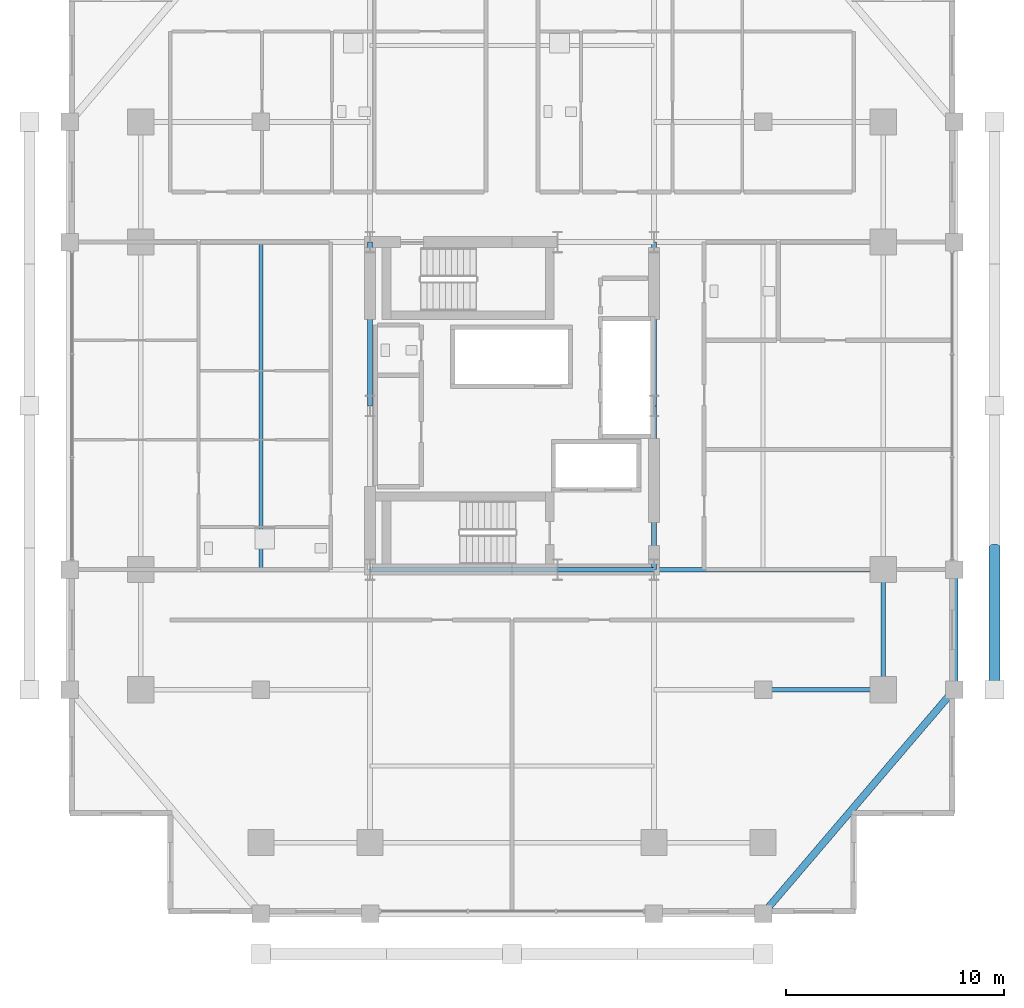
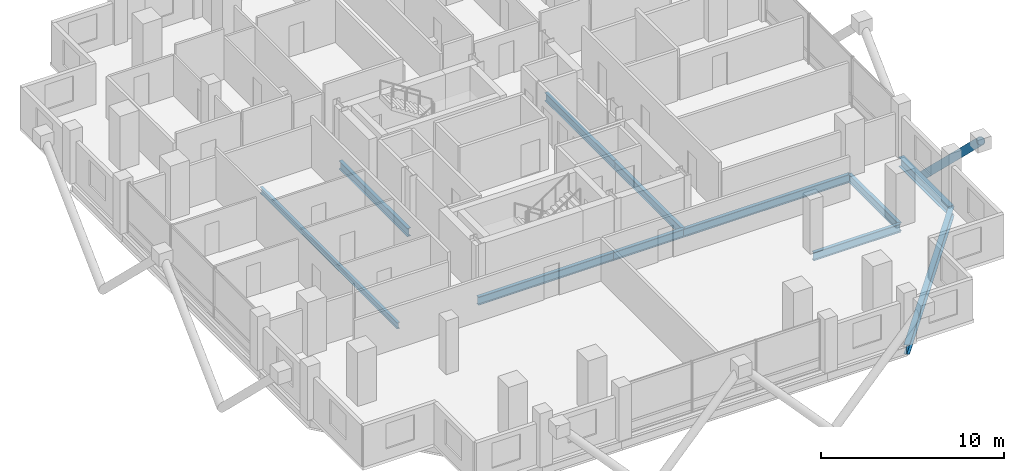
# One storey, part 7 of 22: 11 beams, 1 member.
"""IFC4 building model written with IfcOpenShell, lengths in metres."""

from ifc_helpers import new_model, si_unit, direction, frame, origin, origin_2d, place, context, subcontext, project, spatial, hollow_circle, i_section, extrude, material, material_profile, profile_set, type_object, element, save


model = new_model("IFC4")

# Units and contexts
model_context = context("Model", 3, precision=1e-05, world=origin(), true_north=direction((0.0, 1.0)))
body_context = subcontext(model_context, "Body", "Model", "MODEL_VIEW")
ifc_project = project(units=[si_unit("LENGTHUNIT", "METRE"), si_unit("AREAUNIT", "SQUARE_METRE"), si_unit("VOLUMEUNIT", "CUBIC_METRE"), si_unit("PLANEANGLEUNIT", "RADIAN"), si_unit("MASSUNIT", "GRAM", prefix="KILO")], contexts=[model_context])

# Site, building, storey
site_placement = place(None, origin())
site = spatial("IfcSite", under=ifc_project, at=site_placement, CompositionType="ELEMENT")
building_placement = place(site_placement, origin())
building = spatial("IfcBuilding", under=site, at=building_placement, Name="Barlavira Tower and Art Museum", CompositionType="ELEMENT")
storey_placement = place(building_placement, frame((0.0, 0.0, 129.60009765625)))
storey = spatial("IfcBuildingStorey", under=building, at=storey_placement, Name="L32", CompositionType="ELEMENT", Elevation=129.60009765625)

# Member
ifc_material = material(Name="Steel S355", Category="steel")
ifc_material_profile_1 = material_profile(ifc_material, hollow_circle(Radius=0.25390625, WallThickness=0.022216796875, at=origin_2d()), Name="CHS 508.0x22.2")
ifc_profile_set_1 = profile_set([ifc_material_profile_1], Name="Steel S355")
member_type = type_object("IfcMemberType", Name="Pale-Metal Exoskeleton Diagrid Tube CHS 508x22 Steel S355", PredefinedType="BRACE", material=ifc_profile_set_1)
member_placement = place(storey_placement, frame((22.10009765625, -6.5, -2.820068359375), z_axis=(0.0, -0.718064979499, 0.695976066555), x_axis=(1.0, 0.0, 0.0)))
element("IfcMember", 1, at=member_placement, inside=storey, type_object=member_type, Name="L32 Exoskeleton Diagrid Tube E", PredefinedType="BRACE", context=body_context, shape_type="SweptSolid", body=[
    extrude(hollow_circle(Radius=0.25390625, WallThickness=0.022216796875, at=origin_2d()), origin(), (0.0, 0.0, 1.0), 9.052001953125),
])

# Beams
ifc_material_profile_2 = material_profile(ifc_material, i_section(OverallWidth=0.327880859375, OverallDepth=0.62890625, WebThickness=0.013916015625, FlangeThickness=0.021484375, at=origin_2d()), Name="W610x174.0")
ifc_profile_set_2 = profile_set([ifc_material_profile_2], Name="Steel S355")
beam_type_1 = type_object("IfcBeamType", Name="Perimeter Spandrel Edge Beam W610x174 Steel S355", PredefinedType="SPANDREL", material=ifc_profile_set_2)
beam_1_placement = place(storey_placement, frame((11.5, -23.25, -0.53466796875), z_axis=(0.649262379928, 0.760564502202, 0.0), x_axis=(-0.760564502202, 0.649262379928, 0.0)))
element("IfcBeam", 2, at=beam_1_placement, inside=storey, type_object=beam_type_1, Name="L32 Spandrel 4", PredefinedType="SPANDREL", context=body_context, shape_type="SweptSolid", body=[
    extrude(i_section(OverallWidth=0.327880859375, OverallDepth=0.62890625, WebThickness=0.013916015625, FlangeThickness=0.021484375, at=origin_2d()), origin(), (0.0, 0.0, 1.0), 13.476806640625),
])
beam_2_placement = place(storey_placement, frame((20.25, -13.0, -0.53466796875), z_axis=(0.0, 1.0, 0.0), x_axis=(-1.0, 0.0, 0.0)))
element("IfcBeam", 3, at=beam_2_placement, inside=storey, type_object=beam_type_1, Name="L32 Spandrel 5", PredefinedType="SPANDREL", context=body_context, shape_type="SweptSolid", body=[
    extrude(i_section(OverallWidth=0.327880859375, OverallDepth=0.62890625, WebThickness=0.013916015625, FlangeThickness=0.021484375, at=origin_2d()), origin(), (0.0, 0.0, 1.0), 5.5),
])
ifc_material_profile_3 = material_profile(ifc_material, i_section(OverallWidth=0.214111328125, OverallDepth=0.549072265625, WebThickness=0.0146484375, FlangeThickness=0.023681640625, at=origin_2d()), Name="W530x138.0")
ifc_profile_set_3 = profile_set([ifc_material_profile_3], Name="Steel S355")
beam_type_2 = type_object("IfcBeamType", Name="Zone 1 Primary Floor Girder W530x138 Steel S355", PredefinedType="BEAM", material=ifc_profile_set_3)
beam_3_placement = place(storey_placement, frame((-6.5, -7.5, -0.49462890625), z_axis=(1.0, 0.0, 0.0), x_axis=(0.0, 1.0, 0.0)))
element("IfcBeam", 4, at=beam_3_placement, inside=storey, type_object=beam_type_2, Name="L32 Girder C-S1", PredefinedType="BEAM", context=body_context, shape_type="SweptSolid", body=[
    extrude(i_section(OverallWidth=0.214111328125, OverallDepth=0.549072265625, WebThickness=0.0146484375, FlangeThickness=0.023681640625, at=origin_2d()), origin(), (0.0, 0.0, 1.0), 8.580078125),
])
beam_4_placement = place(storey_placement, frame((2.080078125, -7.5, -0.49462890625), z_axis=(1.0, 0.0, 0.0), x_axis=(0.0, 1.0, 0.0)))
element("IfcBeam", 5, at=beam_4_placement, inside=storey, type_object=beam_type_2, Name="L32 Girder C-S2", PredefinedType="BEAM", context=body_context, shape_type="SweptSolid", body=[
    extrude(i_section(OverallWidth=0.214111328125, OverallDepth=0.549072265625, WebThickness=0.0146484375, FlangeThickness=0.023681640625, at=origin_2d()), origin(), (0.0, 0.0, 1.0), 4.419921875),
])
for number, where, z_axis, x_axis, name in (
    (6, (-6.5, 0.0, -0.49462890625), (0.0, 1.0, 0.0), (-1.0, 0.0, 0.0), "L32 Girder C-W2"),
    (7, (6.5, -7.5, -0.49462890625), (0.0, 1.0, 0.0), (-1.0, 0.0, 0.0), "L32 Girder C-E1"),
    (8, (6.5, 0.0, -0.49462890625), (0.0, 1.0, 0.0), (-1.0, 0.0, 0.0), "L32 Girder C-E2"),
):
    element("IfcBeam", number, at=place(storey_placement, frame(where, z_axis=z_axis, x_axis=x_axis)), inside=storey, type_object=beam_type_2, Name=name, PredefinedType="BEAM", context=body_context, shape_type="SweptSolid", body=[
        extrude(i_section(OverallWidth=0.214111328125, OverallDepth=0.549072265625, WebThickness=0.0146484375, FlangeThickness=0.023681640625, at=origin_2d()), origin(), (0.0, 0.0, 1.0), 7.5),
    ])
beam_5_placement = place(storey_placement, frame((17.0, -13.0, -0.49462890625), z_axis=(0.0, 1.0, 0.0), x_axis=(-1.0, 0.0, 0.0)))
element("IfcBeam", 9, at=beam_5_placement, inside=storey, type_object=beam_type_2, Name="L32 Girder M-E1", PredefinedType="BEAM", context=body_context, shape_type="SweptSolid", body=[
    extrude(i_section(OverallWidth=0.214111328125, OverallDepth=0.549072265625, WebThickness=0.0146484375, FlangeThickness=0.023681640625, at=origin_2d()), origin(), (0.0, 0.0, 1.0), 5.5),
])
beam_6_placement = place(storey_placement, frame((6.5, -7.5, -0.49462890625), z_axis=(1.0, 0.0, 0.0), x_axis=(0.0, 1.0, 0.0)))
element("IfcBeam", 10, at=beam_6_placement, inside=storey, type_object=beam_type_2, Name="L32 Girder R-E1", PredefinedType="BEAM", context=body_context, shape_type="SweptSolid", body=[
    extrude(i_section(OverallWidth=0.214111328125, OverallDepth=0.549072265625, WebThickness=0.0146484375, FlangeThickness=0.023681640625, at=origin_2d()), origin(), (0.0, 0.0, 1.0), 10.5),
])
beam_7_placement = place(storey_placement, frame((11.5, -13.0, -0.49462890625), z_axis=(1.0, 0.0, 0.0), x_axis=(0.0, 1.0, 0.0)))
element("IfcBeam", 11, at=beam_7_placement, inside=storey, type_object=beam_type_2, Name="L32 Girder I-S4", PredefinedType="BEAM", context=body_context, shape_type="SweptSolid", body=[
    extrude(i_section(OverallWidth=0.214111328125, OverallDepth=0.549072265625, WebThickness=0.0146484375, FlangeThickness=0.023681640625, at=origin_2d()), origin(), (0.0, 0.0, 1.0), 5.5),
])
ifc_material_profile_4 = material_profile(ifc_material, i_section(OverallWidth=0.179931640625, OverallDepth=0.4130859375, WebThickness=0.009765625, FlangeThickness=0.01611328125, at=origin_2d()), Name="W410x75.0")
ifc_profile_set_4 = profile_set([ifc_material_profile_4], Name="Steel S355")
beam_type_3 = type_object("IfcBeamType", Name="Zone 2 Composite Floor Joist W410x75 Steel S355", PredefinedType="JOIST", material=ifc_profile_set_4)
beam_8_placement = place(storey_placement, frame((-11.5, -7.5, -0.426513671875), z_axis=(0.0, 1.0, 0.0), x_axis=(-1.0, 0.0, 0.0)))
element("IfcBeam", 12, at=beam_8_placement, inside=storey, type_object=beam_type_3, Name="L32 Joist W1", PredefinedType="JOIST", context=body_context, shape_type="SweptSolid", body=[
    extrude(i_section(OverallWidth=0.179931640625, OverallDepth=0.4130859375, WebThickness=0.009765625, FlangeThickness=0.01611328125, at=origin_2d()), origin(), (0.0, 0.0, 1.0), 15.0),
])

save(model, "model.ifc")
